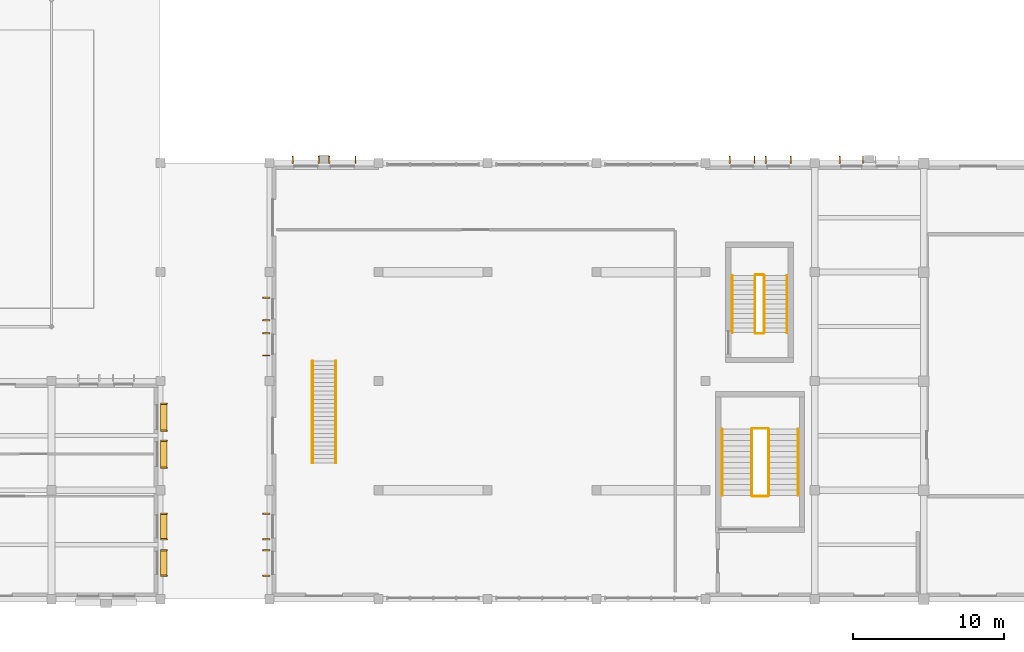
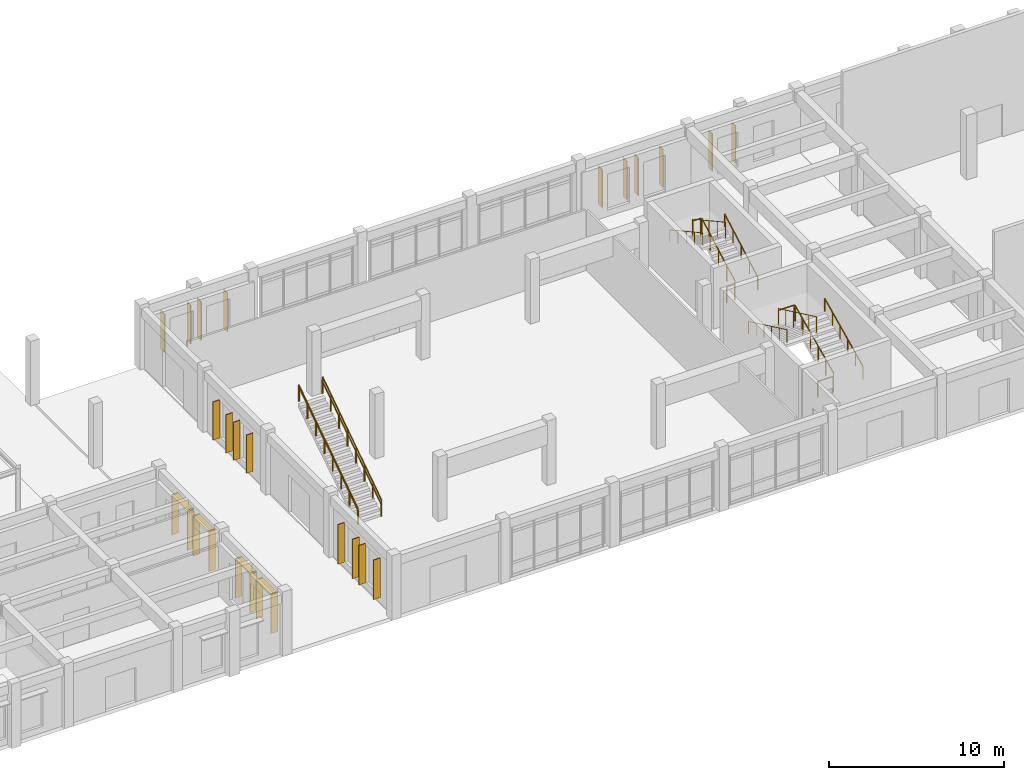
# One storey, part 39 of 43: 26 coverings, 16 railings, 4 shading devices.
"""IFC4 building model written with IfcOpenShell, lengths in metres."""

from ifc_helpers import new_model, si_unit, direction, frame, origin, origin_2d, place, context, subcontext, project, spatial, polyline, rectangle, circle, outline, extrude, material, layer, layer_set, type_object, element, save


model = new_model("IFC4")

# Units and contexts
model_context = context("Model", 3, precision=1e-05, world=origin(), true_north=direction((0.0, 1.0)))
body_context = subcontext(model_context, "Body", "Model", "MODEL_VIEW")
ifc_project = project(units=[si_unit("LENGTHUNIT", "METRE"), si_unit("AREAUNIT", "SQUARE_METRE"), si_unit("VOLUMEUNIT", "CUBIC_METRE"), si_unit("PLANEANGLEUNIT", "RADIAN"), si_unit("MASSUNIT", "GRAM", prefix="KILO")], contexts=[model_context])

# Site, building, storey
site_placement = place(None, origin())
site = spatial("IfcSite", under=ifc_project, at=site_placement, CompositionType="ELEMENT")
building_placement = place(site_placement, origin())
building = spatial("IfcBuilding", under=site, at=building_placement, Name="Alvorim Cloister Faculty of Sciences", CompositionType="ELEMENT")
storey_placement = place(building_placement, origin())
storey = spatial("IfcBuildingStorey", under=building, at=storey_placement, Name="L00", CompositionType="ELEMENT", Elevation=0.0)

# Coverings
ifc_material_1 = material(Name="Anodised Aluminium Alloy 6063-T6", Category="aluminium")
ifc_layer = layer(ifc_material_1, 0.054931640625)
ifc_layer_set = layer_set([ifc_layer], Name="Anodised Aluminium Alloy 6063-T6")
covering_type = type_object("IfcCoveringType", Name="COV-SHD-FIN", PredefinedType="CLADDING", material=ifc_layer_set)
for number, where, z_axis, x_axis, name in (
    (1, (64.800048828125, 8.693359375, 0.389892578125), (0.0, 0.0, 1.0), (1.0, 0.0, 0.0), "L00 Brise-Soleil Vertical Fin COV-FIN-00001"),
    (2, (64.800048828125, 10.473388671875, 0.389892578125), (0.0, 0.0, 1.0), (1.0, 0.0, 0.0), "L00 Brise-Soleil Vertical Fin COV-FIN-00002"),
    (3, (64.800048828125, 11.126708984375, 0.389892578125), (0.0, 0.0, 1.0), (1.0, 0.0, 0.0), "L00 Brise-Soleil Vertical Fin COV-FIN-00003"),
    (4, (64.800048828125, 12.90673828125, 0.389892578125), (0.0, 0.0, 1.0), (1.0, 0.0, 0.0), "L00 Brise-Soleil Vertical Fin COV-FIN-00004"),
):
    element("IfcCovering", number, at=place(storey_placement, frame(where, z_axis=z_axis, x_axis=x_axis)), inside=storey, type_object=covering_type, Name=name, PredefinedType="CLADDING", context=body_context, shape_type="SweptSolid", body=[
        extrude(outline(polyline([(0.0, 0.0), (0.43994140625, 0.0), (0.43994140625, 2.81005859375), (0.0, 2.81005859375), (0.0, 0.0)])), frame((0.0, 0.02734375, 0.0), z_axis=(0.0, -1.0, 0.0), x_axis=(1.0, 0.0, 0.0)), (0.0, 0.0, 1.0), 0.054931640625),
    ])
for number, where, z_axis, x_axis, name in (
    (5, (64.800048828125, 1.56005859375, 0.389892578125), (0.0, 0.0, 1.0), (1.0, 0.0, 0.0), "L00 Brise-Soleil Vertical Fin COV-FIN-00005"),
    (6, (64.800048828125, 3.239990234375, 0.389892578125), (0.0, 0.0, 1.0), (1.0, 0.0, 0.0), "L00 Brise-Soleil Vertical Fin COV-FIN-00006"),
    (7, (64.800048828125, 3.9599609375, 0.389892578125), (0.0, 0.0, 1.0), (1.0, 0.0, 0.0), "L00 Brise-Soleil Vertical Fin COV-FIN-00007"),
    (8, (64.800048828125, 5.639892578125, 0.389892578125), (0.0, 0.0, 1.0), (1.0, 0.0, 0.0), "L00 Brise-Soleil Vertical Fin COV-FIN-00008"),
    (9, (72.0, 1.56005859375, 0.389892578125), (0.0, 0.0, 1.0), (-1.0, 0.0, 0.0), "L00 Brise-Soleil Vertical Fin COV-FIN-00155"),
    (10, (72.0, 3.239990234375, 0.389892578125), (0.0, 0.0, 1.0), (-1.0, 0.0, 0.0), "L00 Brise-Soleil Vertical Fin COV-FIN-00156"),
    (11, (72.0, 3.9599609375, 0.389892578125), (0.0, 0.0, 1.0), (-1.0, 0.0, 0.0), "L00 Brise-Soleil Vertical Fin COV-FIN-00157"),
    (12, (72.0, 5.639892578125, 0.389892578125), (0.0, 0.0, 1.0), (-1.0, 0.0, 0.0), "L00 Brise-Soleil Vertical Fin COV-FIN-00158"),
):
    element("IfcCovering", number, at=place(storey_placement, frame(where, z_axis=z_axis, x_axis=x_axis)), inside=storey, type_object=covering_type, Name=name, PredefinedType="CLADDING", context=body_context, shape_type="SweptSolid", body=[
        extrude(outline(polyline([(0.0, 0.0), (0.43994140625, 0.0), (0.43994140625, 2.760009765625), (0.0, 2.760009765625), (0.0, 0.0)])), frame((0.0, 0.02734375, 0.0), z_axis=(0.0, -1.0, 0.0), x_axis=(1.0, 0.0, 0.0)), (0.0, 0.0, 1.0), 0.054931640625),
    ])
for number, where, z_axis, x_axis, name in (
    (13, (72.0, 16.09326171875, 0.389892578125), (0.0, 0.0, 1.0), (-1.0, 0.0, 0.0), "L00 Brise-Soleil Vertical Fin COV-FIN-00159"),
    (14, (72.0, 17.5732421875, 0.389892578125), (0.0, 0.0, 1.0), (-1.0, 0.0, 0.0), "L00 Brise-Soleil Vertical Fin COV-FIN-00160"),
    (15, (72.0, 18.4267578125, 0.389892578125), (0.0, 0.0, 1.0), (-1.0, 0.0, 0.0), "L00 Brise-Soleil Vertical Fin COV-FIN-00161"),
    (16, (72.0, 19.90673828125, 0.389892578125), (0.0, 0.0, 1.0), (-1.0, 0.0, 0.0), "L00 Brise-Soleil Vertical Fin COV-FIN-00162"),
):
    element("IfcCovering", number, at=place(storey_placement, frame(where, z_axis=z_axis, x_axis=x_axis)), inside=storey, type_object=covering_type, Name=name, PredefinedType="CLADDING", context=body_context, shape_type="SweptSolid", body=[
        extrude(outline(polyline([(0.0, 0.0), (0.43994140625, 0.0), (0.43994140625, 2.66015625), (0.0, 2.66015625), (0.0, 0.0)])), frame((0.0, 0.02734375, 0.0), z_axis=(0.0, -1.0, 0.0), x_axis=(1.0, 0.0, 0.0)), (0.0, 0.0, 1.0), 0.054931640625),
    ])
for number, where, z_axis, x_axis, name in (
    (17, (73.526611328125, 28.800048828125, 0.389892578125), (0.0, 0.0, 1.0), (0.0, 1.0, 0.0), "L00 Brise-Soleil Vertical Fin COV-FIN-00163"),
    (18, (75.256591796875, 28.800048828125, 0.389892578125), (0.0, 0.0, 1.0), (0.0, 1.0, 0.0), "L00 Brise-Soleil Vertical Fin COV-FIN-00164"),
    (19, (75.943359375, 28.800048828125, 0.389892578125), (0.0, 0.0, 1.0), (0.0, 1.0, 0.0), "L00 Brise-Soleil Vertical Fin COV-FIN-00165"),
    (20, (77.67333984375, 28.800048828125, 0.389892578125), (0.0, 0.0, 1.0), (0.0, 1.0, 0.0), "L00 Brise-Soleil Vertical Fin COV-FIN-00166"),
):
    element("IfcCovering", number, at=place(storey_placement, frame(where, z_axis=z_axis, x_axis=x_axis)), inside=storey, type_object=covering_type, Name=name, PredefinedType="CLADDING", context=body_context, shape_type="SweptSolid", body=[
        extrude(outline(polyline([(0.0, 0.0), (0.43994140625, 0.0), (0.43994140625, 2.710205078125), (0.0, 2.710205078125), (0.0, 0.0)])), frame((0.0, 0.02734375, 0.0), z_axis=(0.0, -1.0, 0.0), x_axis=(1.0, 0.0, 0.0)), (0.0, 0.0, 1.0), 0.054931640625),
    ])
for number, where, z_axis, x_axis, name in (
    (21, (102.393310546875, 28.800048828125, 0.389892578125), (0.0, 0.0, 1.0), (0.0, 1.0, 0.0), "L00 Brise-Soleil Vertical Fin COV-FIN-00167"),
    (22, (104.023193359375, 28.800048828125, 0.389892578125), (0.0, 0.0, 1.0), (0.0, 1.0, 0.0), "L00 Brise-Soleil Vertical Fin COV-FIN-00168"),
    (23, (104.776611328125, 28.800048828125, 0.389892578125), (0.0, 0.0, 1.0), (0.0, 1.0, 0.0), "L00 Brise-Soleil Vertical Fin COV-FIN-00169"),
    (24, (106.40673828125, 28.800048828125, 0.389892578125), (0.0, 0.0, 1.0), (0.0, 1.0, 0.0), "L00 Brise-Soleil Vertical Fin COV-FIN-00170"),
):
    element("IfcCovering", number, at=place(storey_placement, frame(where, z_axis=z_axis, x_axis=x_axis)), inside=storey, type_object=covering_type, Name=name, PredefinedType="CLADDING", context=body_context, shape_type="SweptSolid", body=[
        extrude(outline(polyline([(0.0, 0.0), (0.43994140625, 0.0), (0.43994140625, 2.66015625), (0.0, 2.66015625), (0.0, 0.0)])), frame((0.0, 0.02734375, 0.0), z_axis=(0.0, -1.0, 0.0), x_axis=(1.0, 0.0, 0.0)), (0.0, 0.0, 1.0), 0.054931640625),
    ])
for number, where, z_axis, x_axis, name in (
    (25, (109.659912109375, 28.800048828125, 0.389892578125), (0.0, 0.0, 1.0), (0.0, 1.0, 0.0), "L00 Brise-Soleil Vertical Fin COV-FIN-00171"),
    (26, (111.18994140625, 28.800048828125, 0.389892578125), (0.0, 0.0, 1.0), (0.0, 1.0, 0.0), "L00 Brise-Soleil Vertical Fin COV-FIN-00172"),
):
    element("IfcCovering", number, at=place(storey_placement, frame(where, z_axis=z_axis, x_axis=x_axis)), inside=storey, type_object=covering_type, Name=name, PredefinedType="CLADDING", context=body_context, shape_type="SweptSolid", body=[
        extrude(outline(polyline([(0.0, 0.0), (0.43994140625, 0.0), (0.43994140625, 2.610107421875), (0.0, 2.610107421875), (0.0, 0.0)])), frame((0.0, 0.02734375, 0.0), z_axis=(0.0, -1.0, 0.0), x_axis=(1.0, 0.0, 0.0)), (0.0, 0.0, 1.0), 0.054931640625),
    ])

# Railings
ifc_material_2 = material(Name="Brushed Bronze", Category="metal")
railing_type_1 = type_object("IfcRailingType", Name="RL-MON-HAND", PredefinedType="HANDRAIL", material=ifc_material_2)
for number, where, name in (
    (27, (76.344970703125, 9.0, 0.0), "MST-L00-ATR Handrail 1"),
    (28, (74.85498046875, 9.0, 0.0), "MST-L00-ATR Handrail 2"),
):
    element("IfcRailing", number, at=place(storey_placement, frame(where)), inside=storey, type_object=railing_type_1, Name=name, PredefinedType="HANDRAIL", context=body_context, shape_type="SweptSolid", body=[
        extrude(circle(Radius=0.02392578125, at=origin_2d()), frame((0.0, 0.0, 0.89599609375), z_axis=(0.0, 0.830906055479, 0.556412730775), x_axis=(-1.0, 0.0, 0.0)), (0.0, 0.0, 1.0), 8.08740234375),
        extrude(circle(Radius=0.02099609375, at=origin_2d()), origin(), (0.0, 0.0, 1.0), 0.871826171875),
        extrude(circle(Radius=0.02099609375, at=origin_2d()), frame((0.0, 0.9599609375, 0.642822265625)), (0.0, 0.0, 1.0), 0.871826171875),
        extrude(circle(Radius=0.02099609375, at=origin_2d()), frame((0.0, 1.919921875, 1.28564453125)), (0.0, 0.0, 1.0), 0.871826171875),
        extrude(circle(Radius=0.02099609375, at=origin_2d()), frame((0.0, 2.8798828125, 1.928466796875)), (0.0, 0.0, 1.0), 0.871826171875),
        extrude(circle(Radius=0.02099609375, at=origin_2d()), frame((0.0, 3.840087890625, 2.571533203125)), (0.0, 0.0, 1.0), 0.871826171875),
        extrude(circle(Radius=0.02099609375, at=origin_2d()), frame((0.0, 4.800048828125, 3.21435546875)), (0.0, 0.0, 1.0), 0.871826171875),
        extrude(circle(Radius=0.02099609375, at=origin_2d()), frame((0.0, 5.760009765625, 3.857177734375)), (0.0, 0.0, 1.0), 0.871826171875),
        extrude(circle(Radius=0.02099609375, at=origin_2d()), frame((0.0, 6.719970703125, 4.5)), (0.0, 0.0, 1.0), 0.871826171875),
    ])
ifc_material_3 = material(Name="Galvanised Painted Steel", Category="steel")
railing_type_2 = type_object("IfcRailingType", Name="RL-STR-GUARD", PredefinedType="GUARDRAIL", material=ifc_material_3)
railing_1_placement = place(storey_placement, frame((104.669921875, 17.60009765625, 0.173095703125)))
element("IfcRailing", 29, at=railing_1_placement, inside=storey, type_object=railing_type_2, Name="L00 ST-06 stair guard 1", PredefinedType="GUARDRAIL", context=body_context, shape_type="SweptSolid", body=[
    extrude(circle(Radius=0.02392578125, at=origin_2d()), frame((0.0, 0.0, 1.09619140625), z_axis=(0.0, 0.876409457848, 0.481566674713), x_axis=(-1.0, 0.0, 0.0)), (0.0, 0.0, 1.0), 4.312744140625),
    extrude(circle(Radius=0.02099609375, at=origin_2d()), origin(), (0.0, 0.0, 1.0), 1.072021484375),
    extrude(circle(Radius=0.02099609375, at=origin_2d()), frame((0.0, 0.94482421875, 0.519287109375)), (0.0, 0.0, 1.0), 1.072021484375),
    extrude(circle(Radius=0.02099609375, at=origin_2d()), frame((0.0, 1.889892578125, 1.03857421875)), (0.0, 0.0, 1.0), 1.072021484375),
    extrude(circle(Radius=0.02099609375, at=origin_2d()), frame((0.0, 2.8349609375, 1.5576171875)), (0.0, 0.0, 1.0), 1.072021484375),
    extrude(circle(Radius=0.02099609375, at=origin_2d()), frame((0.0, 3.77978515625, 2.076904296875)), (0.0, 0.0, 1.0), 1.072021484375),
])
railing_2_placement = place(storey_placement, frame((104.6201171875, 21.429931640625, 2.25)))
element("IfcRailing", 30, at=railing_2_placement, inside=storey, type_object=railing_type_2, Name="L00 ST-06 stair guard 2", PredefinedType="GUARDRAIL", context=body_context, shape_type="SweptSolid", body=[
    extrude(circle(Radius=0.02392578125, at=origin_2d()), frame((0.0, 0.0, 1.09619140625), z_axis=(-1.0, 0.0, 0.0), x_axis=(0.0, -1.0, 0.0)), (0.0, 0.0, 1.0), 0.52001953125),
    extrude(circle(Radius=0.02099609375, at=origin_2d()), origin(), (0.0, 0.0, 1.0), 1.072021484375),
    extrude(circle(Radius=0.02099609375, at=origin_2d()), frame((-0.52001953125, 0.0, 0.0)), (0.0, 0.0, 1.0), 1.072021484375),
])
railing_3_placement = place(storey_placement, frame((104.050048828125, 21.3798828125, 2.423095703125)))
element("IfcRailing", 31, at=railing_3_placement, inside=storey, type_object=railing_type_2, Name="L00 ST-06 stair guard 3", PredefinedType="GUARDRAIL", context=body_context, shape_type="SweptSolid", body=[
    extrude(circle(Radius=0.02392578125, at=origin_2d()), frame((0.0, 0.0, 1.09619140625), z_axis=(0.0, -0.876409457848, 0.481566674713), x_axis=(1.0, 0.0, 0.0)), (0.0, 0.0, 1.0), 4.312744140625),
    extrude(circle(Radius=0.02099609375, at=origin_2d()), origin(), (0.0, 0.0, 1.0), 1.072021484375),
    extrude(circle(Radius=0.02099609375, at=origin_2d()), frame((0.0, -0.94482421875, 0.519287109375)), (0.0, 0.0, 1.0), 1.072021484375),
    extrude(circle(Radius=0.02099609375, at=origin_2d()), frame((0.0, -1.889892578125, 1.03857421875)), (0.0, 0.0, 1.0), 1.072021484375),
    extrude(circle(Radius=0.02099609375, at=origin_2d()), frame((0.0, -2.8349609375, 1.5576171875)), (0.0, 0.0, 1.0), 1.072021484375),
    extrude(circle(Radius=0.02099609375, at=origin_2d()), frame((0.0, -3.77978515625, 2.076904296875)), (0.0, 0.0, 1.0), 1.072021484375),
])
railing_4_placement = place(storey_placement, frame((104.6201171875, 17.550048828125, 0.0)))
element("IfcRailing", 32, at=railing_4_placement, inside=storey, type_object=railing_type_2, Name="L00 ST-06 stair guard 4", PredefinedType="GUARDRAIL", context=body_context, shape_type="SweptSolid", body=[
    extrude(circle(Radius=0.02392578125, at=origin_2d()), frame((0.0, 0.0, 1.09619140625), z_axis=(-1.0, 0.0, 0.0), x_axis=(0.0, -1.0, 0.0)), (0.0, 0.0, 1.0), 0.52001953125),
    extrude(circle(Radius=0.02099609375, at=origin_2d()), origin(), (0.0, 0.0, 1.0), 1.072021484375),
    extrude(circle(Radius=0.02099609375, at=origin_2d()), frame((-0.52001953125, 0.0, 0.0)), (0.0, 0.0, 1.0), 1.072021484375),
])
railing_5_placement = place(storey_placement, frame((104.9599609375, 6.85009765625, 0.173095703125)))
element("IfcRailing", 33, at=railing_5_placement, inside=storey, type_object=railing_type_2, Name="L00 ST-12 stair guard 1", PredefinedType="GUARDRAIL", context=body_context, shape_type="SweptSolid", body=[
    extrude(circle(Radius=0.02392578125, at=origin_2d()), frame((0.0, 0.0, 1.09619140625), z_axis=(0.0, 0.903560341894, 0.428460860005), x_axis=(-1.0, 0.0, 0.0)), (0.0, 0.0, 1.0), 4.847412109375),
    extrude(circle(Radius=0.02099609375, at=origin_2d()), origin(), (0.0, 0.0, 1.0), 1.072021484375),
    extrude(circle(Radius=0.02099609375, at=origin_2d()), frame((0.0, 0.8759765625, 0.415283203125)), (0.0, 0.0, 1.0), 1.072021484375),
    extrude(circle(Radius=0.02099609375, at=origin_2d()), frame((0.0, 1.751953125, 0.830810546875)), (0.0, 0.0, 1.0), 1.072021484375),
    extrude(circle(Radius=0.02099609375, at=origin_2d()), frame((0.0, 2.6279296875, 1.24609375)), (0.0, 0.0, 1.0), 1.072021484375),
    extrude(circle(Radius=0.02099609375, at=origin_2d()), frame((0.0, 3.50390625, 1.66162109375)), (0.0, 0.0, 1.0), 1.072021484375),
    extrude(circle(Radius=0.02099609375, at=origin_2d()), frame((0.0, 4.3798828125, 2.076904296875)), (0.0, 0.0, 1.0), 1.072021484375),
])
railing_6_placement = place(storey_placement, frame((104.909912109375, 11.280029296875, 2.25)))
element("IfcRailing", 34, at=railing_6_placement, inside=storey, type_object=railing_type_2, Name="L00 ST-12 stair guard 2", PredefinedType="GUARDRAIL", context=body_context, shape_type="SweptSolid", body=[
    extrude(circle(Radius=0.02392578125, at=origin_2d()), frame((0.0, 0.0, 1.09619140625), z_axis=(-1.0, 0.0, 0.0), x_axis=(0.0, -1.0, 0.0)), (0.0, 0.0, 1.0), 1.02001953125),
    extrude(circle(Radius=0.02099609375, at=origin_2d()), origin(), (0.0, 0.0, 1.0), 1.072021484375),
    extrude(circle(Radius=0.02099609375, at=origin_2d()), frame((-1.02001953125, 0.0, 0.0)), (0.0, 0.0, 1.0), 1.072021484375),
])
railing_7_placement = place(storey_placement, frame((103.840087890625, 11.22998046875, 2.423095703125)))
element("IfcRailing", 35, at=railing_7_placement, inside=storey, type_object=railing_type_2, Name="L00 ST-12 stair guard 3", PredefinedType="GUARDRAIL", context=body_context, shape_type="SweptSolid", body=[
    extrude(circle(Radius=0.02392578125, at=origin_2d()), frame((0.0, 0.0, 1.09619140625), z_axis=(0.0, -0.903560341894, 0.428460860005), x_axis=(1.0, 0.0, 0.0)), (0.0, 0.0, 1.0), 4.847412109375),
    extrude(circle(Radius=0.02099609375, at=origin_2d()), origin(), (0.0, 0.0, 1.0), 1.072021484375),
    extrude(circle(Radius=0.02099609375, at=origin_2d()), frame((0.0, -0.8759765625, 0.415283203125)), (0.0, 0.0, 1.0), 1.072021484375),
    extrude(circle(Radius=0.02099609375, at=origin_2d()), frame((0.0, -1.751953125, 0.830810546875)), (0.0, 0.0, 1.0), 1.072021484375),
    extrude(circle(Radius=0.02099609375, at=origin_2d()), frame((0.0, -2.6279296875, 1.24609375)), (0.0, 0.0, 1.0), 1.072021484375),
    extrude(circle(Radius=0.02099609375, at=origin_2d()), frame((0.0, -3.50390625, 1.66162109375)), (0.0, 0.0, 1.0), 1.072021484375),
    extrude(circle(Radius=0.02099609375, at=origin_2d()), frame((0.0, -4.3798828125, 2.076904296875)), (0.0, 0.0, 1.0), 1.072021484375),
])
railing_8_placement = place(storey_placement, frame((104.909912109375, 6.800048828125, 0.0)))
element("IfcRailing", 36, at=railing_8_placement, inside=storey, type_object=railing_type_2, Name="L00 ST-12 stair guard 4", PredefinedType="GUARDRAIL", context=body_context, shape_type="SweptSolid", body=[
    extrude(circle(Radius=0.02392578125, at=origin_2d()), frame((0.0, 0.0, 1.09619140625), z_axis=(-1.0, 0.0, 0.0), x_axis=(0.0, -1.0, 0.0)), (0.0, 0.0, 1.0), 1.02001953125),
    extrude(circle(Radius=0.02099609375, at=origin_2d()), origin(), (0.0, 0.0, 1.0), 1.072021484375),
    extrude(circle(Radius=0.02099609375, at=origin_2d()), frame((-1.02001953125, 0.0, 0.0)), (0.0, 0.0, 1.0), 1.072021484375),
])
ifc_material_4 = material(Name="Brushed Stainless Steel", Category="steel")
railing_type_3 = type_object("IfcRailingType", Name="RL-STR-HAND", PredefinedType="HANDRAIL", material=ifc_material_4)
railing_9_placement = place(storey_placement, frame((106.169921875, 17.60009765625, 0.173095703125)))
element("IfcRailing", 37, at=railing_9_placement, inside=storey, type_object=railing_type_3, Name="L00 ST-06 stair handrail 1", PredefinedType="HANDRAIL", context=body_context, shape_type="SweptSolid", body=[
    extrude(circle(Radius=0.02392578125, at=origin_2d()), frame((0.0, 0.0, 0.8759765625), z_axis=(0.0, 0.876409457848, 0.481566674713), x_axis=(-1.0, 0.0, 0.0)), (0.0, 0.0, 1.0), 4.312744140625),
    extrude(circle(Radius=0.02099609375, at=origin_2d()), origin(), (0.0, 0.0, 1.0), 0.851806640625),
    extrude(circle(Radius=0.02099609375, at=origin_2d()), frame((0.0, 0.94482421875, 0.519287109375)), (0.0, 0.0, 1.0), 0.851806640625),
    extrude(circle(Radius=0.02099609375, at=origin_2d()), frame((0.0, 1.889892578125, 1.03857421875)), (0.0, 0.0, 1.0), 0.851806640625),
    extrude(circle(Radius=0.02099609375, at=origin_2d()), frame((0.0, 2.8349609375, 1.5576171875)), (0.0, 0.0, 1.0), 0.851806640625),
    extrude(circle(Radius=0.02099609375, at=origin_2d()), frame((0.0, 3.77978515625, 2.076904296875)), (0.0, 0.0, 1.0), 0.851806640625),
])
railing_10_placement = place(storey_placement, frame((102.550048828125, 21.3798828125, 2.423095703125)))
element("IfcRailing", 38, at=railing_10_placement, inside=storey, type_object=railing_type_3, Name="L00 ST-06 stair handrail 2", PredefinedType="HANDRAIL", context=body_context, shape_type="SweptSolid", body=[
    extrude(circle(Radius=0.02392578125, at=origin_2d()), frame((0.0, 0.0, 0.8759765625), z_axis=(0.0, -0.876409457848, 0.481566674713), x_axis=(1.0, 0.0, 0.0)), (0.0, 0.0, 1.0), 4.312744140625),
    extrude(circle(Radius=0.02099609375, at=origin_2d()), origin(), (0.0, 0.0, 1.0), 0.851806640625),
    extrude(circle(Radius=0.02099609375, at=origin_2d()), frame((0.0, -0.94482421875, 0.519287109375)), (0.0, 0.0, 1.0), 0.851806640625),
    extrude(circle(Radius=0.02099609375, at=origin_2d()), frame((0.0, -1.889892578125, 1.03857421875)), (0.0, 0.0, 1.0), 0.851806640625),
    extrude(circle(Radius=0.02099609375, at=origin_2d()), frame((0.0, -2.8349609375, 1.5576171875)), (0.0, 0.0, 1.0), 0.851806640625),
    extrude(circle(Radius=0.02099609375, at=origin_2d()), frame((0.0, -3.77978515625, 2.076904296875)), (0.0, 0.0, 1.0), 0.851806640625),
])
railing_11_placement = place(storey_placement, frame((106.909912109375, 6.85009765625, 0.173095703125)))
element("IfcRailing", 39, at=railing_11_placement, inside=storey, type_object=railing_type_3, Name="L00 ST-12 stair handrail 1", PredefinedType="HANDRAIL", context=body_context, shape_type="SweptSolid", body=[
    extrude(circle(Radius=0.02392578125, at=origin_2d()), frame((0.0, 0.0, 0.8759765625), z_axis=(0.0, 0.903560341894, 0.428460860005), x_axis=(-1.0, 0.0, 0.0)), (0.0, 0.0, 1.0), 4.847412109375),
    extrude(circle(Radius=0.02099609375, at=origin_2d()), origin(), (0.0, 0.0, 1.0), 0.851806640625),
    extrude(circle(Radius=0.02099609375, at=origin_2d()), frame((0.0, 0.8759765625, 0.415283203125)), (0.0, 0.0, 1.0), 0.851806640625),
    extrude(circle(Radius=0.02099609375, at=origin_2d()), frame((0.0, 1.751953125, 0.830810546875)), (0.0, 0.0, 1.0), 0.851806640625),
    extrude(circle(Radius=0.02099609375, at=origin_2d()), frame((0.0, 2.6279296875, 1.24609375)), (0.0, 0.0, 1.0), 0.851806640625),
    extrude(circle(Radius=0.02099609375, at=origin_2d()), frame((0.0, 3.50390625, 1.66162109375)), (0.0, 0.0, 1.0), 0.851806640625),
    extrude(circle(Radius=0.02099609375, at=origin_2d()), frame((0.0, 4.3798828125, 2.076904296875)), (0.0, 0.0, 1.0), 0.851806640625),
])
railing_12_placement = place(storey_placement, frame((101.889892578125, 11.22998046875, 2.423095703125)))
element("IfcRailing", 40, at=railing_12_placement, inside=storey, type_object=railing_type_3, Name="L00 ST-12 stair handrail 2", PredefinedType="HANDRAIL", context=body_context, shape_type="SweptSolid", body=[
    extrude(circle(Radius=0.02392578125, at=origin_2d()), frame((0.0, 0.0, 0.8759765625), z_axis=(0.0, -0.903560341894, 0.428460860005), x_axis=(1.0, 0.0, 0.0)), (0.0, 0.0, 1.0), 4.847412109375),
    extrude(circle(Radius=0.02099609375, at=origin_2d()), origin(), (0.0, 0.0, 1.0), 0.851806640625),
    extrude(circle(Radius=0.02099609375, at=origin_2d()), frame((0.0, -0.8759765625, 0.415283203125)), (0.0, 0.0, 1.0), 0.851806640625),
    extrude(circle(Radius=0.02099609375, at=origin_2d()), frame((0.0, -1.751953125, 0.830810546875)), (0.0, 0.0, 1.0), 0.851806640625),
    extrude(circle(Radius=0.02099609375, at=origin_2d()), frame((0.0, -2.6279296875, 1.24609375)), (0.0, 0.0, 1.0), 0.851806640625),
    extrude(circle(Radius=0.02099609375, at=origin_2d()), frame((0.0, -3.50390625, 1.66162109375)), (0.0, 0.0, 1.0), 0.851806640625),
    extrude(circle(Radius=0.02099609375, at=origin_2d()), frame((0.0, -4.3798828125, 2.076904296875)), (0.0, 0.0, 1.0), 0.851806640625),
])
railing_type_4 = type_object("IfcRailingType", Name="RL-TER-GUARD-1150", PredefinedType="GUARDRAIL", material=ifc_material_3)
for number, where, name in (
    (41, (76.385009765625, 9.0, 0.0), "MST-L00-ATR Flight Guard 1"),
    (42, (74.81494140625, 9.0, 0.0), "MST-L00-ATR Flight Guard 2"),
):
    element("IfcRailing", number, at=place(storey_placement, frame(where)), inside=storey, type_object=railing_type_4, Name=name, PredefinedType="GUARDRAIL", context=body_context, shape_type="SweptSolid", body=[
        extrude(circle(Radius=0.02392578125, at=origin_2d()), frame((0.0, 0.0, 1.1259765625), z_axis=(0.0, 0.830906055479, 0.556412730775), x_axis=(-1.0, 0.0, 0.0)), (0.0, 0.0, 1.0), 8.08740234375),
        extrude(circle(Radius=0.02099609375, at=origin_2d()), origin(), (0.0, 0.0, 1.0), 1.101806640625),
        extrude(circle(Radius=0.02099609375, at=origin_2d()), frame((0.0, 0.9599609375, 0.642822265625)), (0.0, 0.0, 1.0), 1.101806640625),
        extrude(circle(Radius=0.02099609375, at=origin_2d()), frame((0.0, 1.919921875, 1.28564453125)), (0.0, 0.0, 1.0), 1.101806640625),
        extrude(circle(Radius=0.02099609375, at=origin_2d()), frame((0.0, 2.8798828125, 1.928466796875)), (0.0, 0.0, 1.0), 1.101806640625),
        extrude(circle(Radius=0.02099609375, at=origin_2d()), frame((0.0, 3.840087890625, 2.571533203125)), (0.0, 0.0, 1.0), 1.101806640625),
        extrude(circle(Radius=0.02099609375, at=origin_2d()), frame((0.0, 4.800048828125, 3.21435546875)), (0.0, 0.0, 1.0), 1.101806640625),
        extrude(circle(Radius=0.02099609375, at=origin_2d()), frame((0.0, 5.760009765625, 3.857177734375)), (0.0, 0.0, 1.0), 1.101806640625),
        extrude(circle(Radius=0.02099609375, at=origin_2d()), frame((0.0, 6.719970703125, 4.5)), (0.0, 0.0, 1.0), 1.101806640625),
    ])

# Shading devices
ifc_material_5 = material(Name="Perforated Bronze Alloy Sheet", Category="metal")
shading_device_type = type_object("IfcShadingDeviceType", Name="SHD-BRZ-FIN", PredefinedType="JALOUSIE", material=ifc_material_5)
for number, where, z_axis, x_axis, name in (
    (43, (65.010009765625, 9.583251953125, 3.119873046875), (0.0, 0.0, 1.0), (1.0, 0.0, 0.0), "L00 Brise-Soleil Sun Hood SHD-0001"),
    (44, (65.010009765625, 12.0166015625, 3.119873046875), (0.0, 0.0, 1.0), (1.0, 0.0, 0.0), "L00 Brise-Soleil Sun Hood SHD-0002"),
):
    element("IfcShadingDevice", number, at=place(storey_placement, frame(where, z_axis=z_axis, x_axis=x_axis)), inside=storey, type_object=shading_device_type, Name=name, PredefinedType="JALOUSIE", context=body_context, shape_type="SweptSolid", body=[
        extrude(rectangle(XDim=0.419921875, YDim=1.840087890625, at=origin_2d()), origin(), (0.0, 0.0, 1.0), 0.06005859375),
    ])
for number, where, z_axis, x_axis, name in (
    (45, (65.010009765625, 2.39990234375, 3.070068359375), (0.0, 0.0, 1.0), (1.0, 0.0, 0.0), "L00 Brise-Soleil Sun Hood SHD-0003"),
    (46, (65.010009765625, 4.800048828125, 3.070068359375), (0.0, 0.0, 1.0), (1.0, 0.0, 0.0), "L00 Brise-Soleil Sun Hood SHD-0004"),
):
    element("IfcShadingDevice", number, at=place(storey_placement, frame(where, z_axis=z_axis, x_axis=x_axis)), inside=storey, type_object=shading_device_type, Name=name, PredefinedType="JALOUSIE", context=body_context, shape_type="SweptSolid", body=[
        extrude(rectangle(XDim=0.419921875, YDim=1.739990234375, at=origin_2d()), origin(), (0.0, 0.0, 1.0), 0.06005859375),
    ])

save(model, "model.ifc")
